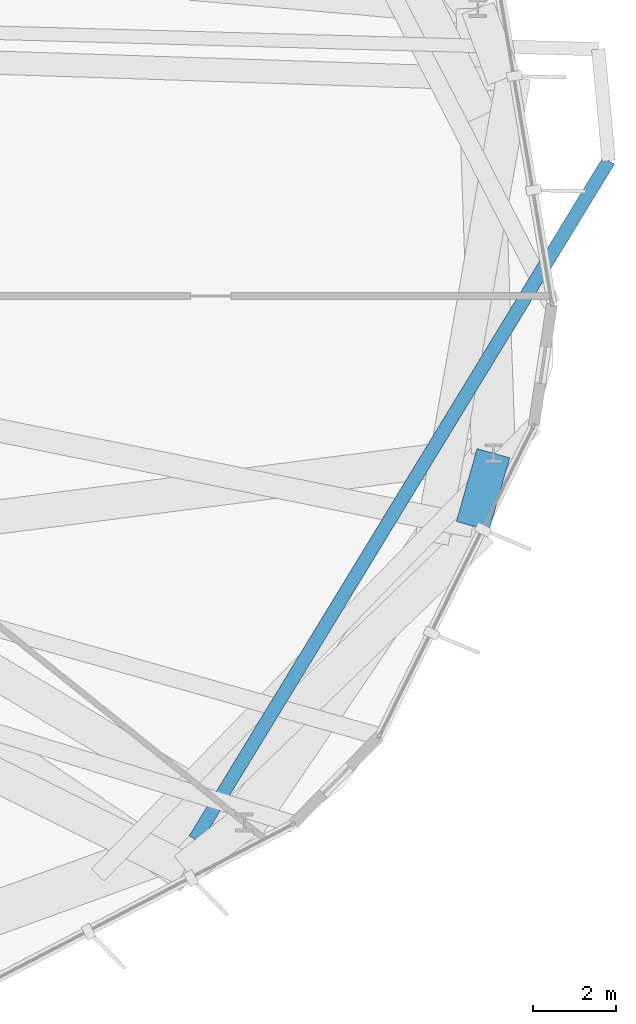
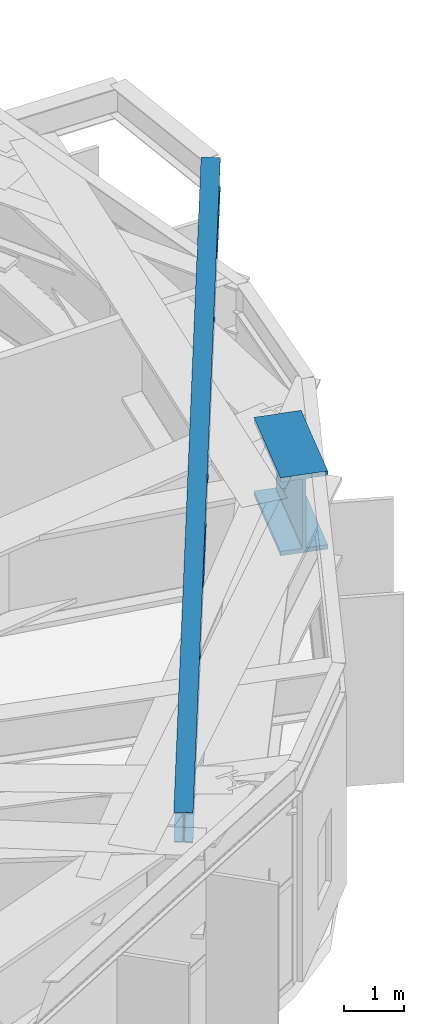
# One storey, part 13 of 27: 2 beams.
"""IFC4 building model written with IfcOpenShell, lengths in metres."""

from ifc_helpers import new_model, si_unit, direction, frame, origin, origin_2d, place, context, subcontext, project, spatial, i_section, extrude, material, material_profile, profile_set, type_object, element, save


model = new_model("IFC4")

# Units and contexts
model_context = context("Model", 3, precision=1e-05, world=origin(), true_north=direction((0.0, 1.0)))
body_context = subcontext(model_context, "Body", "Model", "MODEL_VIEW")
ifc_project = project(units=[si_unit("LENGTHUNIT", "METRE"), si_unit("AREAUNIT", "SQUARE_METRE"), si_unit("VOLUMEUNIT", "CUBIC_METRE"), si_unit("PLANEANGLEUNIT", "RADIAN"), si_unit("MASSUNIT", "GRAM", prefix="KILO")], contexts=[model_context])

# Site, building, storey
site_placement = place(None, origin())
site = spatial("IfcSite", under=ifc_project, at=site_placement, CompositionType="ELEMENT")
building_placement = place(site_placement, origin())
building = spatial("IfcBuilding", under=site, at=building_placement, Name="Soratama Intermodal Tower", CompositionType="ELEMENT")
storey_placement = place(building_placement, frame((0.0, 0.0, 134.199951171875)))
storey = spatial("IfcBuildingStorey", under=building, at=storey_placement, Name="L32", CompositionType="ELEMENT", Elevation=134.199951171875)

# Beams
ifc_material_1 = material(Name="Structural steel ASTM A992 Grade 50", Category="steel")
ifc_material_profile_1 = material_profile(ifc_material_1, i_section(OverallWidth=0.324951171875, OverallDepth=0.615966796875, WebThickness=0.013916015625, FlangeThickness=0.021484375, FilletRadius=0.013916015625, at=origin_2d()), Name="W24X117")
ifc_profile_set_1 = profile_set([ifc_material_profile_1], Name="Structural steel ASTM A992 Grade 50")
beam_type_1 = type_object("IfcBeamType", Name="BM-CANT-W24X117", PredefinedType="BEAM", material=ifc_profile_set_1)
beam_1_placement = place(storey_placement, frame((54.51904296875, 10.881103515625, 4.192138671875), z_axis=(0.520566260899, 0.853821274046, 0.0), x_axis=(-0.853821274046, 0.520566260899, 0.0)))
element("IfcBeam", 1, at=beam_1_placement, inside=storey, type_object=beam_type_1, Name="BM-L32-CANT-1-1", PredefinedType="BEAM", context=body_context, shape_type="SweptSolid", body=[
    extrude(i_section(OverallWidth=0.324951171875, OverallDepth=0.615966796875, WebThickness=0.013916015625, FlangeThickness=0.021484375, FilletRadius=0.013916015625, at=origin_2d()), origin(), (0.0, 0.0, 1.0), 19.1923828125),
])
ifc_material_2 = material(Name="Structural steel ASTM A992 Grade 50", Category="steel")
ifc_material_profile_2 = material_profile(ifc_material_2, i_section(OverallWidth=0.820068359375, OverallDepth=1.60205078125, WebThickness=0.055908203125, FlangeThickness=0.092041015625, FilletRadius=0.02392578125, at=origin_2d()), Name="PG1600X650")
ifc_profile_set_2 = profile_set([ifc_material_profile_2], Name="Structural steel ASTM A992 Grade 50")
beam_type_2 = type_object("IfcBeamType", Name="BM-ZSTEP-PG1600", PredefinedType="BEAM", material=ifc_profile_set_2)
beam_2_placement = place(storey_placement, frame((61.72607421875, 20.2041015625, 3.698974609375), z_axis=(-0.273275687121, -0.961935756082, 0.0), x_axis=(0.961935756082, -0.273275687121, 0.0)))
element("IfcBeam", 2, at=beam_2_placement, inside=storey, type_object=beam_type_2, Name="BM-L32-ZSTEP-A10", PredefinedType="BEAM", context=body_context, shape_type="SweptSolid", body=[
    extrude(i_section(OverallWidth=0.820068359375, OverallDepth=1.60205078125, WebThickness=0.055908203125, FlangeThickness=0.092041015625, FilletRadius=0.02392578125, at=origin_2d()), origin(), (0.0, 0.0, 1.0), 1.82958984375),
])

save(model, "model.ifc")
